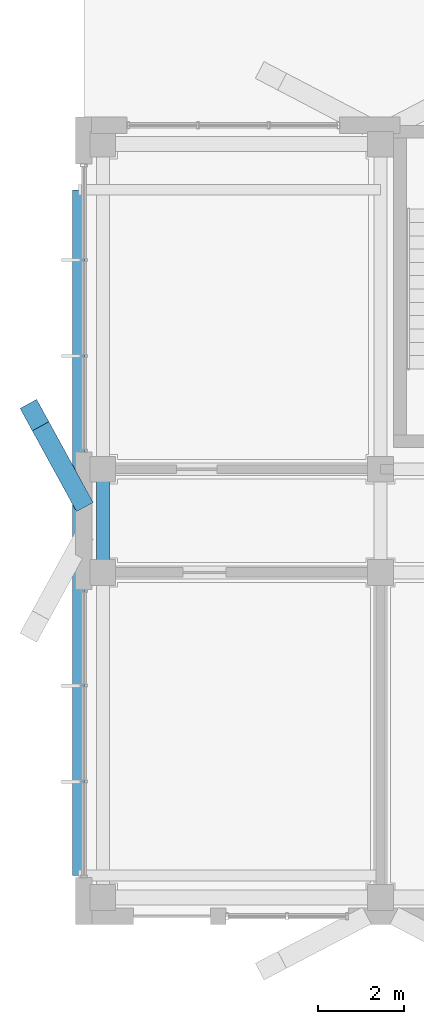
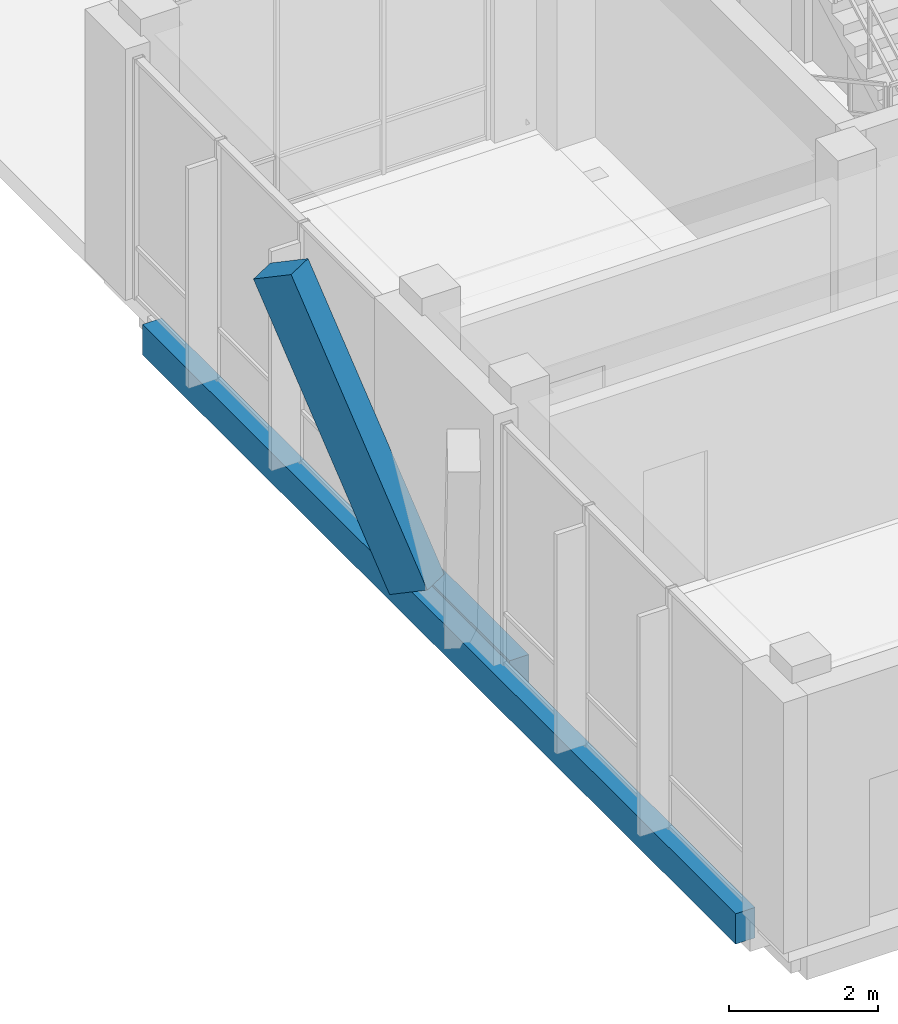
# One storey, part 21 of 233: 2 beams, 1 member.
"""IFC4 building model written with IfcOpenShell, lengths in metres."""

import ifcopenshell
import ifcopenshell.guid

model = None  # the IFC model being written
_history = None  # IfcOwnerHistory: only IFC2X3 demands one
_inside = {}  # id of a spatial element -> (the spatial element, [elements in it])
_under = {}  # id of a project, library or spatial element -> (it, [spatial elements below it])
_declared = {}  # id of a project -> (the project, [libraries it declares])
_typed = {}  # id of a type object -> (the type object, [elements of that type])
_made_of = {}  # id of a material, layer set ... -> (it, [elements and type objects made of it])


def new_model(schema):
    """Start an empty IFC model of exactly this schema.

    Asked for "IFC4X3", IfcOpenShell would pick the latest addendum, in which some entities
    have other attributes; the version numbers below select the first issue.
    IFC2X3 requires an IfcOwnerHistory on every rooted entity: one is made here for all.
    """
    global model, _history
    if schema == "IFC4X3":
        model = ifcopenshell.file(schema_version=(4, 3, 0, 0))
    else:
        model = ifcopenshell.file(schema=schema)
    _inside.clear()
    _under.clear()
    _declared.clear()
    _typed.clear()
    _made_of.clear()
    _history = None
    if model.schema == "IFC2X3":
        org = make("IfcOrganization", Name="unknown")
        user = make(
            "IfcPersonAndOrganization",
            ThePerson=make("IfcPerson", FamilyName="unknown"),
            TheOrganization=org,
        )
        app = make(
            "IfcApplication",
            ApplicationDeveloper=org,
            Version="unknown",
            ApplicationFullName="unknown",
            ApplicationIdentifier="unknown",
        )
        _history = make(
            "IfcOwnerHistory",
            OwningUser=user,
            OwningApplication=app,
            ChangeAction="ADDED",
            CreationDate=0,
        )
    return model


def make(cls, **values):
    """One entity of the class cls with the attributes given. An attribute that is None is left unset."""
    return model.create_entity(
        cls, **{name: value for name, value in values.items() if value is not None}
    )


def rooted(cls, **values):
    """An entity with a GlobalId (a new one), such as an element, a storey or a relation."""
    return make(cls, GlobalId=ifcopenshell.guid.new(), OwnerHistory=_history, **values)


def si_unit(unit_type, name, prefix=None):
    """IfcSIUnit, for example si_unit("LENGTHUNIT", "METRE", prefix="MILLI")."""
    return make("IfcSIUnit", UnitType=unit_type, Prefix=prefix, Name=name)


def assignment(units):
    """IfcUnitAssignment: the units of a project."""
    return None if units is None else make("IfcUnitAssignment", Units=units)


def point(xyz):
    """IfcCartesianPoint."""
    return None if xyz is None else make("IfcCartesianPoint", Coordinates=xyz)


def direction(xyz):
    """IfcDirection."""
    return None if xyz is None else make("IfcDirection", DirectionRatios=xyz)


def frame(location, z_axis=None, x_axis=None):
    """IfcAxis2Placement3D, a coordinate frame: its origin and axes. An axis left out is left unset."""
    return make(
        "IfcAxis2Placement3D",
        Location=point(location),
        Axis=direction(z_axis),
        RefDirection=direction(x_axis),
    )


def frame_2d(location, x_axis=None):
    """IfcAxis2Placement2D, a coordinate frame in the plane: its origin and x axis."""
    return make(
        "IfcAxis2Placement2D", Location=point(location), RefDirection=direction(x_axis)
    )


def origin():
    """The frame at (0, 0, 0) with its axes left unset."""
    return frame((0.0, 0.0, 0.0))


def origin_2d():
    """The frame at (0, 0) in the plane with its x axis left unset."""
    return frame_2d((0.0, 0.0))


def place(relative_to, where):
    """IfcLocalPlacement: puts the frame where relative to a parent placement (None: the world)."""
    return make(
        "IfcLocalPlacement", PlacementRelTo=relative_to, RelativePlacement=where
    )


def context(
    kind, dimensions, precision=None, world=None, true_north=None, identifier=None
):
    """IfcGeometricRepresentationContext, for example the 3D "Model" context."""
    return make(
        "IfcGeometricRepresentationContext",
        ContextIdentifier=identifier,
        ContextType=kind,
        CoordinateSpaceDimension=dimensions,
        Precision=precision,
        WorldCoordinateSystem=world,
        TrueNorth=true_north,
    )


def subcontext(parent, identifier, kind, view, scale=None):
    """IfcGeometricRepresentationSubContext, for example "Body" below "Model"."""
    return make(
        "IfcGeometricRepresentationSubContext",
        ContextIdentifier=identifier,
        ContextType=kind,
        ParentContext=parent,
        TargetScale=scale,
        TargetView=view,
    )


def project(units=None, contexts=None):
    """IfcProject with its units and contexts."""
    return rooted(
        "IfcProject",
        Name="project",
        RepresentationContexts=contexts,
        UnitsInContext=assignment(units),
    )


def spatial(cls, under=None, at=None, **own):
    """A site, building, storey or space (cls), placed at a placement, below another one or the project."""
    s = rooted(cls, ObjectPlacement=at, **own)
    if under is not None:
        _under.setdefault(under.id(), (under, []))[1].append(s)
    return s


def profile(cls, at=None, kind="AREA", **sizes):
    """A parametric profile (cls). Its sizes go by their IFC names, for example OverallWidth=200.0."""
    return make(cls, ProfileType=kind, Position=at, **sizes)


def rectangle(**sizes):
    """IfcRectangleProfileDef."""
    return profile("IfcRectangleProfileDef", **sizes)


def extrude(swept, where, along, depth):
    """IfcExtrudedAreaSolid: the profile swept, set in the frame where, extruded along a direction by depth."""
    return make(
        "IfcExtrudedAreaSolid",
        SweptArea=swept,
        Position=where,
        ExtrudedDirection=direction(along),
        Depth=depth,
    )


def shape(context_of_items, identifier, shape_type, items):
    """IfcShapeRepresentation: the items that make up one representation, for example the "Body"."""
    return make(
        "IfcShapeRepresentation",
        ContextOfItems=context_of_items,
        RepresentationIdentifier=identifier,
        RepresentationType=shape_type,
        Items=items,
    )


def material(Name=None, Category=None):
    """IfcMaterial."""
    return make("IfcMaterial", Name=Name, Category=Category)


def material_profile(
    of_material, cross_section, Name=None, Category=None, Priority=None
):
    """IfcMaterialProfile: a cross section and its material."""
    return make(
        "IfcMaterialProfile",
        Name=Name,
        Material=of_material,
        Profile=cross_section,
        Priority=Priority,
        Category=Category,
    )


def profile_set(profiles, Name=None, composite=None):
    """IfcMaterialProfileSet."""
    return make(
        "IfcMaterialProfileSet",
        Name=Name,
        MaterialProfiles=profiles,
        CompositeProfile=composite,
    )


def made_of(thing, what):
    """Note that an element or type object is made of a material, layer set ...; save() writes the relation."""
    if what is not None:
        _made_of.setdefault(what.id(), (what, []))[1].append(thing)
    return thing


def type_object(cls, material=None, **own):
    """A type object (cls), such as IfcWallType, which elements share."""
    return made_of(rooted(cls, **own), material)


def element(
    cls,
    number,
    at=None,
    inside=None,
    cuts=None,
    type_object=None,
    material=None,
    context=None,
    identifier="Body",
    shape_type=None,
    held_by="IfcProductDefinitionShape",
    body=None,
    shapes=None,
    **own,
):
    """One element of the class cls, such as IfcWall. Its Tag is "e" and its number.

    at: its placement. inside: the storey or other place that contains it. cuts: it is an
    opening in that element (IfcRelVoidsElement). A single representation is given by context,
    identifier, shape_type and body (its items); several are given by shapes. held_by: the class
    of the entity that holds the representations. save() writes the other relations.
    """
    e = rooted(cls, Tag="e%d" % number, ObjectPlacement=at, **own)
    if body is not None:
        shapes = [shape(context, identifier, shape_type, body)]
    if shapes is not None:
        e.Representation = make(held_by, Representations=shapes)
    if inside is not None:
        _inside.setdefault(inside.id(), (inside, []))[1].append(e)
    if cuts is not None:
        rooted(
            "IfcRelVoidsElement", RelatingBuildingElement=cuts, RelatedOpeningElement=e
        )
    if type_object is not None:
        _typed.setdefault(type_object.id(), (type_object, []))[1].append(e)
    return made_of(e, material)


def aggregate(whole, parts):
    """IfcRelAggregates: a whole, such as a stair, and the parts it consists of."""
    return rooted("IfcRelAggregates", RelatingObject=whole, RelatedObjects=parts)


def save(model, path):
    """Write the relations noted so far, then the file.

    IfcRelAggregates (storeys below a building ...), IfcRelContainedInSpatialStructure (elements
    in a storey), IfcRelDefinesByType, IfcRelAssociatesMaterial and IfcRelDeclares: one each for
    every whole, place, type object, material and project.
    """
    for whole, parts in _under.values():
        aggregate(whole, parts)
    for where, things in _inside.values():
        rooted(
            "IfcRelContainedInSpatialStructure",
            RelatedElements=things,
            RelatingStructure=where,
        )
    for kind, things in _typed.values():
        rooted("IfcRelDefinesByType", RelatedObjects=things, RelatingType=kind)
    for what, things in _made_of.values():
        rooted("IfcRelAssociatesMaterial", RelatedObjects=things, RelatingMaterial=what)
    for by, libraries in _declared.values():
        rooted("IfcRelDeclares", RelatingContext=by, RelatedDefinitions=libraries)
    model.write(path)


model = new_model("IFC4")

# Units and contexts
model_context = context("Model", 3, precision=1e-05, world=origin(), true_north=direction((0.0, 1.0)))
body_context = subcontext(model_context, "Body", "Model", "MODEL_VIEW")
ifc_project = project(units=[si_unit("LENGTHUNIT", "METRE"), si_unit("AREAUNIT", "SQUARE_METRE"), si_unit("VOLUMEUNIT", "CUBIC_METRE"), si_unit("PLANEANGLEUNIT", "RADIAN"), si_unit("MASSUNIT", "GRAM", prefix="KILO")], contexts=[model_context])

# Site, building, storey
site_placement = place(None, origin())
site = spatial("IfcSite", under=ifc_project, at=site_placement, CompositionType="ELEMENT")
building_placement = place(site_placement, origin())
building = spatial("IfcBuilding", under=site, at=building_placement, Name="Zavelmont Quarter", CompositionType="ELEMENT")
storey_placement = place(building_placement, origin())
storey = spatial("IfcBuildingStorey", under=building, at=storey_placement, Name="L00", CompositionType="ELEMENT", Elevation=0.0)

# Beams
ifc_material_1 = material(Name="Concrete C35/45", Category="concrete")
ifc_material_profile_1 = material_profile(ifc_material_1, rectangle(XDim=0.300048828125, YDim=0.550048828125, at=origin_2d()), Name="RC300X550")
ifc_profile_set_1 = profile_set([ifc_material_profile_1], Name="Concrete C35/45")
beam_type_1 = type_object("IfcBeamType", Name="BM02", PredefinedType="SPANDREL", material=ifc_profile_set_1)
beam_1_placement = place(storey_placement, frame((0.43994140625, 8.0, -0.594970703125), z_axis=(0.0, 1.0, 0.0), x_axis=(-1.0, 0.0, 0.0)))
element("IfcBeam", 1, at=beam_1_placement, inside=storey, type_object=beam_type_1, Name="L00 beam BM02 1/B to 1/C", PredefinedType="SPANDREL", context=body_context, shape_type="SweptSolid", body=[
    extrude(rectangle(XDim=0.300048828125, YDim=0.550048828125, at=origin_2d()), origin(), (0.0, 0.0, 1.0), 2.39990234375),
])
ifc_material_profile_2 = material_profile(ifc_material_1, rectangle(XDim=0.300048828125, YDim=0.5, at=origin_2d()), Name="RC300X500")
ifc_profile_set_2 = profile_set([ifc_material_profile_2], Name="Concrete C35/45")
beam_type_2 = type_object("IfcBeamType", Name="BM03", PredefinedType="BEAM", material=ifc_profile_set_2)
beam_2_placement = place(storey_placement, frame((-0.1201171875, 0.949951171875, -0.25), z_axis=(0.0, 1.0, 0.0), x_axis=(-1.0, 0.0, 0.0)))
element("IfcBeam", 2, at=beam_2_placement, inside=storey, type_object=beam_type_2, Name="L00 beam BM03 1/A to 1/D", PredefinedType="BEAM", context=body_context, shape_type="SweptSolid", body=[
    extrude(rectangle(XDim=0.300048828125, YDim=0.5, at=origin_2d()), origin(), (0.0, 0.0, 1.0), 15.949951171875),
])

# Member
ifc_material_2 = material(Name="White architectural precast concrete C40/50", Category="concrete")
ifc_material_profile_3 = material_profile(ifc_material_2, rectangle(XDim=0.43994140625, YDim=0.659912109375, at=origin_2d()), Name="PCR320X480")
ifc_profile_set_3 = profile_set([ifc_material_profile_3], Name="White architectural precast concrete C40/50")
member_type = type_object("IfcMemberType", Name="VR01M", PredefinedType="CHORD", material=ifc_profile_set_3)
member_placement = place(storey_placement, frame((-0.1201171875, 9.780029296875, 0.0), z_axis=(-0.210423817323, 0.383931175466, 0.899065442339), x_axis=(-0.876927058812, -0.480623484157, 0.0)))
element("IfcMember", 3, at=member_placement, inside=storey, type_object=member_type, Name="L00 member VR01M 1/C to 1/C", PredefinedType="CHORD", context=body_context, shape_type="SweptSolid", body=[
    extrude(rectangle(XDim=0.43994140625, YDim=0.659912109375, at=origin_2d()), origin(), (0.0, 0.0, 1.0), 4.893798828125),
])

save(model, "model.ifc")
